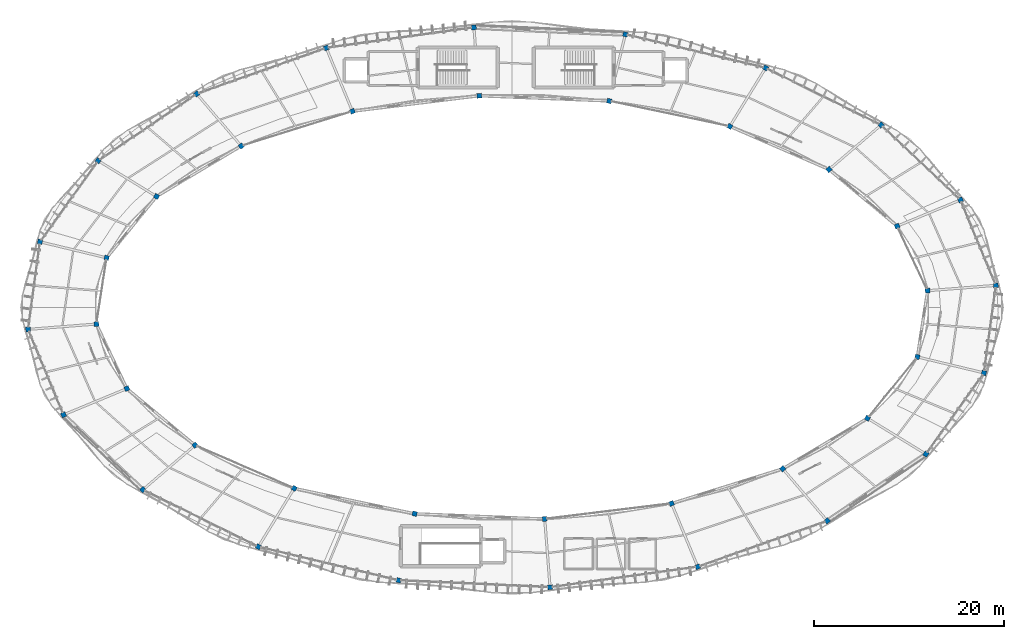
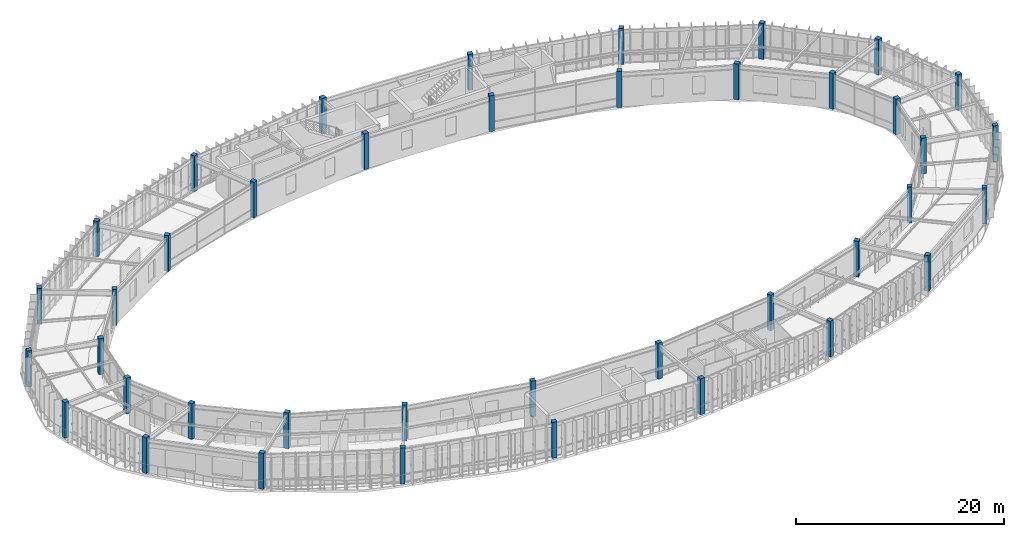
# One storey, part 1 of 78: 40 columns.
"""IFC4 building model written with IfcOpenShell, lengths in metres."""

from ifc_helpers import new_model, si_unit, direction, frame, origin, origin_2d, place, context, subcontext, project, spatial, rectangle, extrude, material, material_profile, profile_set, type_object, element, save


model = new_model("IFC4")

# Units and contexts
model_context = context("Model", 3, precision=1e-05, world=origin(), true_north=direction((0.0, 1.0)))
body_context = subcontext(model_context, "Body", "Model", "MODEL_VIEW")
ifc_project = project(units=[si_unit("LENGTHUNIT", "METRE"), si_unit("AREAUNIT", "SQUARE_METRE"), si_unit("VOLUMEUNIT", "CUBIC_METRE"), si_unit("PLANEANGLEUNIT", "RADIAN"), si_unit("MASSUNIT", "GRAM", prefix="KILO"), si_unit("THERMODYNAMICTEMPERATUREUNIT", "KELVIN"), si_unit("POWERUNIT", "WATT")], contexts=[model_context])

# Site, building, storey
site_placement = place(None, origin())
site = spatial("IfcSite", under=ifc_project, at=site_placement, CompositionType="ELEMENT")
building_placement = place(site_placement, origin())
building = spatial("IfcBuilding", under=site, at=building_placement, Name="Darbajah Civic Hall", CompositionType="ELEMENT")
storey_placement = place(building_placement, frame((0.0, 0.0, 26.39990234375)))
storey = spatial("IfcBuildingStorey", under=building, at=storey_placement, Name="L06", CompositionType="ELEMENT", Elevation=26.39990234375)

# Columns
ifc_material = material(Name="Concrete C45/55", Category="concrete")
ifc_material_profile = material_profile(ifc_material, rectangle(XDim=0.5, YDim=0.5, at=origin_2d()), Name="RC COL 500x500")
ifc_profile_set = profile_set([ifc_material_profile], Name="Concrete C45/55")
column_type = type_object("IfcColumnType", Name="RC COL 500x500", PredefinedType="COLUMN", material=ifc_profile_set)
for number, where, z_axis, x_axis, name in (
    (1, (139.94287109375, 92.114501953125, 0.0), (0.0, 0.0, 1.0), (0.996917333733, 0.078459095728, 0.0), "L06 column C-RC500"),
    (2, (132.764892578125, 91.549560546875, 0.0), (0.0, 0.0, 1.0), (0.996917333733, 0.078459095728, 0.0), "L06 column C-RC500"),
    (3, (136.218017578125, 101.089111328125, 0.0), (0.0, 0.0, 1.0), (0.923879532511, 0.382683432365, 0.0), "L06 column C-RC500"),
    (4, (129.56591796875, 98.333740234375, 0.0), (0.0, 0.0, 1.0), (0.923879532511, 0.382683432365, 0.0), "L06 column C-RC500"),
    (5, (127.880615234375, 108.958740234375, 0.0), (0.0, 0.0, 1.0), (0.7604059656, 0.64944804833, 0.0), "L06 column C-RC500"),
    (6, (122.40576171875, 104.28271484375, 0.0), (0.0, 0.0, 1.0), (0.7604059656, 0.64944804833, 0.0), "L06 column C-RC500"),
    (7, (115.747314453125, 114.952880859375, 0.0), (0.0, 0.0, 1.0), (0.522498564716, 0.852640164354, 0.0), "L06 column C-RC500"),
    (8, (111.9853515625, 108.81396484375, 0.0), (0.0, 0.0, 1.0), (0.522498564716, 0.852640164354, 0.0), "L06 column C-RC500"),
    (9, (101.005615234375, 118.48486328125, 0.0), (0.0, 0.0, 1.0), (0.233445363856, 0.972369920398, 0.0), "L06 column C-RC500"),
    (10, (99.324951171875, 111.48388671875, 0.0), (0.0, 0.0, 1.0), (0.233445363856, 0.972369920398, 0.0), "L06 column C-RC500"),
    (11, (85.0986328125, 119.208984375, 0.0), (0.0, 0.0, 1.0), (-0.078459095728, 0.996917333733, 0.0), "L06 column C-RC500"),
    (12, (85.66357421875, 112.03125, 0.0), (0.0, 0.0, 1.0), (-0.078459095728, 0.996917333733, 0.0), "L06 column C-RC500"),
    (13, (69.5830078125, 117.054443359375, 0.0), (0.0, 0.0, 1.0), (-0.382683432365, 0.923879532511, 0.0), "L06 column C-RC500"),
    (14, (72.33837890625, 110.402587890625, 0.0), (0.0, 0.0, 1.0), (-0.382683432365, 0.923879532511, 0.0), "L06 column C-RC500"),
    (15, (55.97802734375, 112.23193359375, 0.0), (0.0, 0.0, 1.0), (-0.64944804833, 0.7604059656, 0.0), "L06 column C-RC500"),
    (16, (60.654296875, 106.757080078125, 0.0), (0.0, 0.0, 1.0), (-0.64944804833, 0.7604059656, 0.0), "L06 column C-RC500"),
    (17, (45.615478515625, 105.213623046875, 0.0), (0.0, 0.0, 1.0), (-0.852640164354, 0.522498564716, 0.0), "L06 column C-RC500"),
    (18, (51.75439453125, 101.45166015625, 0.0), (0.0, 0.0, 1.0), (-0.852640164354, 0.522498564716, 0.0), "L06 column C-RC500"),
    (19, (39.509033203125, 96.6865234375, 0.0), (0.0, 0.0, 1.0), (-0.972369920398, 0.233445363856, 0.0), "L06 column C-RC500"),
    (20, (46.51025390625, 95.005859375, 0.0), (0.0, 0.0, 1.0), (-0.972369920398, 0.233445363856, 0.0), "L06 column C-RC500"),
    (21, (38.257080078125, 87.485595703125, 0.0), (0.0, 0.0, 1.0), (-0.996917333733, -0.078459095728, 0.0), "L06 column C-RC500"),
    (22, (45.43505859375, 88.05029296875, 0.0), (0.0, 0.0, 1.0), (-0.996917333733, -0.078459095728, 0.0), "L06 column C-RC500"),
    (23, (41.982177734375, 78.5107421875, 0.0), (0.0, 0.0, 1.0), (-0.923879532511, -0.382683432365, 0.0), "L06 column C-RC500"),
    (24, (48.634033203125, 81.26611328125, 0.0), (0.0, 0.0, 1.0), (-0.923879532511, -0.382683432365, 0.0), "L06 column C-RC500"),
    (25, (50.3193359375, 70.641357421875, 0.0), (0.0, 0.0, 1.0), (-0.7604059656, -0.64944804833, 0.0), "L06 column C-RC500"),
    (26, (55.794189453125, 75.3173828125, 0.0), (0.0, 0.0, 1.0), (-0.7604059656, -0.64944804833, 0.0), "L06 column C-RC500"),
    (27, (62.45263671875, 64.647216796875, 0.0), (0.0, 0.0, 1.0), (-0.522498564716, -0.852640164354, 0.0), "L06 column C-RC500"),
    (28, (66.214599609375, 70.7861328125, 0.0), (0.0, 0.0, 1.0), (-0.522498564716, -0.852640164354, 0.0), "L06 column C-RC500"),
    (29, (77.1943359375, 61.114990234375, 0.0), (0.0, 0.0, 1.0), (-0.233445363856, -0.972369920398, 0.0), "L06 column C-RC500"),
    (30, (78.875, 68.1162109375, 0.0), (0.0, 0.0, 1.0), (-0.233445363856, -0.972369920398, 0.0), "L06 column C-RC500"),
    (31, (93.101318359375, 60.390869140625, 0.0), (0.0, 0.0, 1.0), (0.078459095728, -0.996917333733, 0.0), "L06 column C-RC500"),
    (32, (92.53662109375, 67.568603515625, 0.0), (0.0, 0.0, 1.0), (0.078459095728, -0.996917333733, 0.0), "L06 column C-RC500"),
    (33, (108.616943359375, 62.545654296875, 0.0), (0.0, 0.0, 1.0), (0.382683432365, -0.923879532511, 0.0), "L06 column C-RC500"),
    (34, (105.861572265625, 69.197509765625, 0.0), (0.0, 0.0, 1.0), (0.382683432365, -0.923879532511, 0.0), "L06 column C-RC500"),
    (35, (122.221923828125, 67.367919921875, 0.0), (0.0, 0.0, 1.0), (0.64944804833, -0.7604059656, 0.0), "L06 column C-RC500"),
    (36, (117.5458984375, 72.843017578125, 0.0), (0.0, 0.0, 1.0), (0.64944804833, -0.7604059656, 0.0), "L06 column C-RC500"),
    (37, (132.584716796875, 74.38623046875, 0.0), (0.0, 0.0, 1.0), (0.852640164354, -0.522498564716, 0.0), "L06 column C-RC500"),
    (38, (126.445556640625, 78.148193359375, 0.0), (0.0, 0.0, 1.0), (0.852640164354, -0.522498564716, 0.0), "L06 column C-RC500"),
    (39, (138.69091796875, 82.913330078125, 0.0), (0.0, 0.0, 1.0), (0.972369920398, -0.233445363856, 0.0), "L06 column C-RC500"),
    (40, (131.689697265625, 84.59423828125, 0.0), (0.0, 0.0, 1.0), (0.972369920398, -0.233445363856, 0.0), "L06 column C-RC500"),
):
    element("IfcColumn", number, at=place(storey_placement, frame(where, z_axis=z_axis, x_axis=x_axis)), inside=storey, type_object=column_type, Name=name, PredefinedType="COLUMN", context=body_context, shape_type="SweptSolid", body=[
        extrude(rectangle(XDim=0.5, YDim=0.5, at=origin_2d()), origin(), (0.0, 0.0, 1.0), 4.2001953125),
    ])

save(model, "model.ifc")
